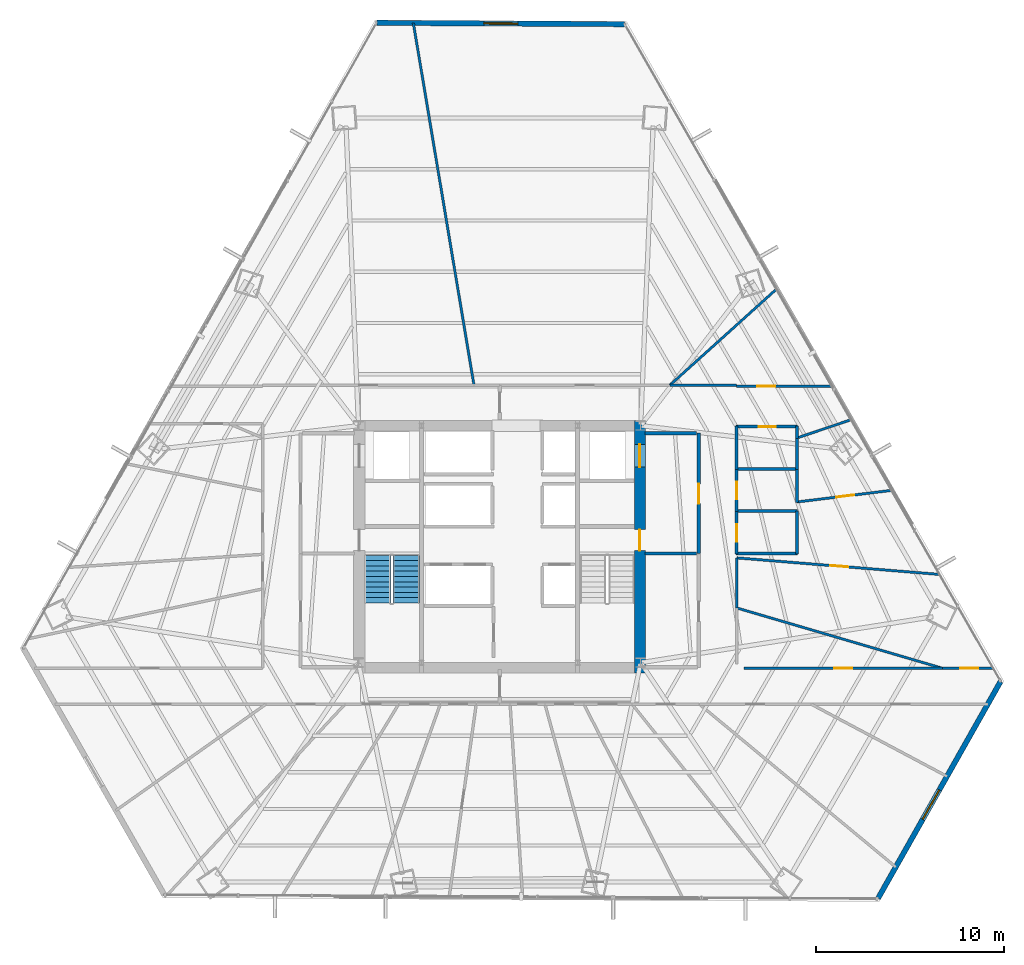
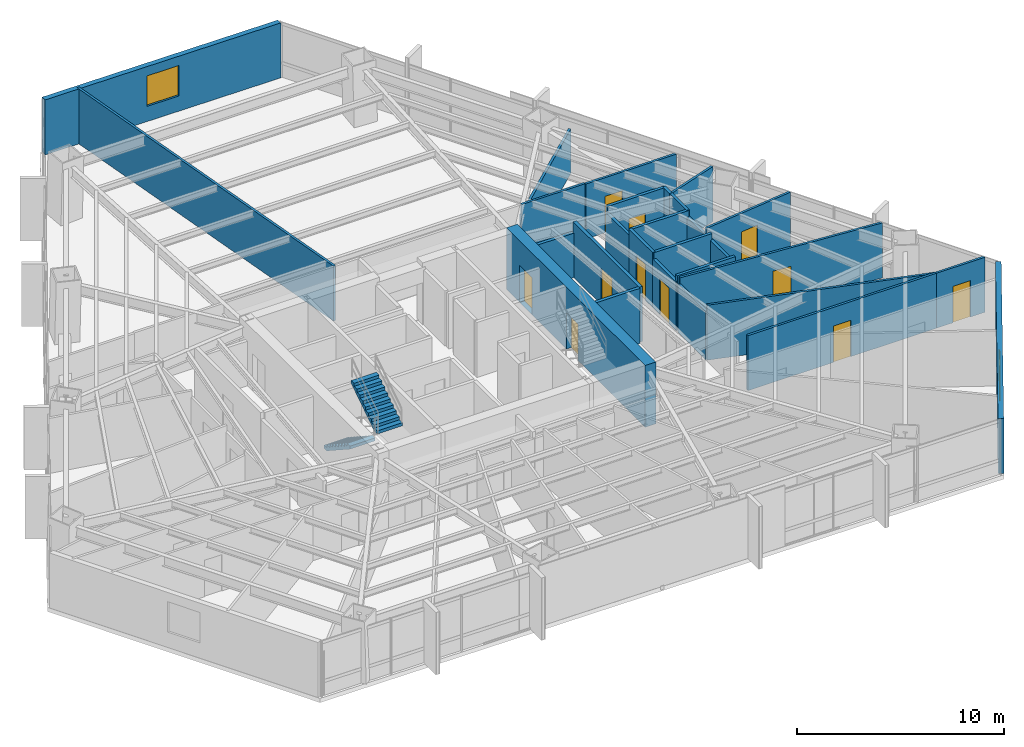
# One storey, part 35 of 39: 28 walls, 11 doors, 2 stair flights, 2 windows, 13 openings, 1 element without a shape of its own.
"""IFC4 building model written with IfcOpenShell, lengths in metres."""

from ifc_helpers import new_model, si_unit, direction, frame, frame_2d, origin, place, context, subcontext, project, spatial, polyline, rectangle, outline, extrude, material, layer, layer_set, type_object, element, fill, aggregate, save


model = new_model("IFC4")

# Units and contexts
model_context = context("Model", 3, precision=1e-05, world=origin(), true_north=direction((0.0, 1.0)))
body_context = subcontext(model_context, "Body", "Model", "MODEL_VIEW")
ifc_project = project(units=[si_unit("LENGTHUNIT", "METRE"), si_unit("AREAUNIT", "SQUARE_METRE"), si_unit("VOLUMEUNIT", "CUBIC_METRE"), si_unit("PLANEANGLEUNIT", "RADIAN"), si_unit("MASSUNIT", "GRAM", prefix="KILO")], contexts=[model_context])

# Site, building, storey
site_placement = place(None, origin())
site = spatial("IfcSite", under=ifc_project, at=site_placement, CompositionType="ELEMENT")
building_placement = place(site_placement, origin())
building = spatial("IfcBuilding", under=site, at=building_placement, Name="Caelisora Broadcast Tower", CompositionType="ELEMENT")
storey_placement = place(building_placement, frame((0.0, 0.0, 71.39990234375)))
storey = spatial("IfcBuildingStorey", under=building, at=storey_placement, Name="L18", CompositionType="ELEMENT", Elevation=71.39990234375)

# Wall, openings, doors
ifc_material_1 = material(Name="Concrete 65 MPa (AS 3600 S65)", Category="concrete")
ifc_layer_1 = layer(ifc_material_1, 0.60009765625, Name="Concrete 65 MPa (AS 3600 S65)")
ifc_layer_set_1 = layer_set([ifc_layer_1], Name="Concrete 65 MPa (AS 3600 S65)")
wall_type_1 = type_object("IfcWallType", Name="CW1", PredefinedType="SHEAR", material=ifc_layer_set_1)
wall_1_placement = place(storey_placement, frame((45.4599609375, 16.85009765625, 0.0), z_axis=(0.0, 0.0, 1.0), x_axis=(0.0, 1.0, 0.0)))
wall_1 = element("IfcWall", 1, at=wall_1_placement, inside=storey, type_object=wall_type_1, Name="L18 core shear wall CW1", PredefinedType="SHEAR", context=body_context, shape_type="SweptSolid", body=[
    extrude(rectangle(XDim=13.4248046875, YDim=0.60009765625, at=frame_2d((6.71240234375, 0.0))), origin(), (0.0, 0.0, 1.0), 3.650146484375),
])
opening_1_placement = place(wall_1_placement, frame((6.5, 0.0, 0.0)))
opening_1 = element("IfcOpeningElement", 2, at=opening_1_placement, cuts=wall_1, Name="Opening FD04", PredefinedType="OPENING", context=body_context, shape_type="SweptSolid", body=[
    extrude(rectangle(XDim=1.1201171875, YDim=2.14990234375, at=frame_2d((0.56005859375, 1.074951171875))), frame((0.0, 0.31201171875, 0.0), z_axis=(0.0, -1.0, 0.0), x_axis=(1.0, 0.0, 0.0)), (0.0, 0.0, 1.0), 0.6240234375),
])
opening_2_placement = place(wall_1_placement, frame((10.949951171875, 0.0, 0.0)))
opening_2 = element("IfcOpeningElement", 3, at=opening_2_placement, cuts=wall_1, Name="Opening LD04", PredefinedType="OPENING", context=body_context, shape_type="SweptSolid", body=[
    extrude(rectangle(XDim=1.199951171875, YDim=2.199951171875, at=frame_2d((0.60009765625, 1.10009765625))), frame((0.0, 0.31201171875, 0.0), z_axis=(0.0, -1.0, 0.0), x_axis=(1.0, 0.0, 0.0)), (0.0, 0.0, 1.0), 0.6240234375),
])
ifc_material_2 = material(Name="Pressurised Fire-Isolated Stair Door", Category="steel")
door_type_1 = type_object("IfcDoorType", Name="FD04", OperationType="NOTDEFINED", PredefinedType="DOOR", material=ifc_material_2)
door_1_placement = place(opening_1_placement, origin())
door_1 = element("IfcDoor", 4, at=door_1_placement, inside=storey, type_object=door_type_1, Name="L18 door FD04 (L18-DR-ST2)", OperationType="SINGLE_SWING_RIGHT", OverallHeight=2.14990234375, OverallWidth=1.1201171875, PredefinedType="DOOR", context=body_context, shape_type="SweptSolid", body=[
    extrude(rectangle(XDim=1.1201171875, YDim=2.14990234375, at=frame_2d((0.56005859375, 1.074951171875))), frame((0.0, 0.02490234375, 0.0), z_axis=(0.0, -1.0, 0.0), x_axis=(1.0, 0.0, 0.0)), (0.0, 0.0, 1.0), 0.050048828125),
])
fill(opening_1, door_1)
ifc_material_3 = material(Name="Emergency Firefighting Lift Sliding Landing Door", Category="steel")
door_type_2 = type_object("IfcDoorType", Name="LD04", OperationType="NOTDEFINED", PredefinedType="DOOR", material=ifc_material_3)
door_2_placement = place(opening_2_placement, origin())
door_2 = element("IfcDoor", 5, at=door_2_placement, inside=storey, type_object=door_type_2, Name="L18 door LD04 (L18-LD-FFL2)", OperationType="SLIDING_TO_RIGHT", OverallHeight=2.199951171875, OverallWidth=1.199951171875, PredefinedType="DOOR", context=body_context, shape_type="SweptSolid", body=[
    extrude(rectangle(XDim=1.199951171875, YDim=2.199951171875, at=frame_2d((0.60009765625, 1.10009765625))), frame((0.0, 0.02490234375, 0.0), z_axis=(0.0, -1.0, 0.0), x_axis=(1.0, 0.0, 0.0)), (0.0, 0.0, 1.0), 0.050048828125),
])
fill(opening_2, door_2)

# Wall, opening, window
ifc_material_4 = material(Name="Insulated Terracotta Spandrel Wall System", Category="masonry")
ifc_layer_2 = layer(ifc_material_4, 0.280029296875, Name="Insulated Terracotta Spandrel Wall System")
ifc_layer_set_2 = layer_set([ifc_layer_2], Name="Insulated Terracotta Spandrel Wall System")
wall_type_2 = type_object("IfcWallType", Name="EW1", PredefinedType="STANDARD", material=ifc_layer_set_2)
wall_2_placement = place(storey_placement, frame((64.625244140625, 16.387939453125, 0.0), z_axis=(0.0, 0.0, 1.0), x_axis=(-0.491826693783, -0.870693116593, 0.0)))
wall_2 = element("IfcWall", 6, at=wall_2_placement, inside=storey, type_object=wall_type_2, Name="L18 exterior envelope wall EW1", PredefinedType="STANDARD", context=body_context, shape_type="SweptSolid", body=[
    extrude(rectangle(XDim=13.224853515625, YDim=0.280029296875, at=frame_2d((6.6123046875, 0.0))), origin(), (0.0, 0.0, 1.0), 3.25),
])
opening_3_placement = place(wall_2_placement, frame((6.610107421875, 0.0, 0.89990234375)))
opening_3 = element("IfcOpeningElement", 7, at=opening_3_placement, cuts=wall_2, Name="Opening W01", PredefinedType="OPENING", context=body_context, shape_type="SweptSolid", body=[
    extrude(rectangle(XDim=1.800048828125, YDim=1.800048828125, at=frame_2d((0.89990234375, 0.89990234375))), frame((0.0, 0.152099609375, 0.0), z_axis=(0.0, -1.0, 0.0), x_axis=(1.0, 0.0, 0.0)), (0.0, 0.0, 1.0), 0.303955078125),
])
ifc_material_5 = material(Name="Double Glazed Terracotta-Framed Vision Window", Category="glass")
window_type = type_object("IfcWindowType", Name="W01", PartitioningType="SINGLE_PANEL", PredefinedType="WINDOW", material=ifc_material_5)
window_1_placement = place(opening_3_placement, origin())
window_1 = element("IfcWindow", 8, at=window_1_placement, inside=storey, type_object=window_type, Name="L18 window W01 (L18-WN-CH0)", OverallHeight=1.800048828125, OverallWidth=1.800048828125, PartitioningType="SINGLE_PANEL", PredefinedType="WINDOW", context=body_context, shape_type="SweptSolid", body=[
    extrude(rectangle(XDim=1.800048828125, YDim=1.800048828125, at=frame_2d((0.89990234375, 0.89990234375))), frame((0.0, 0.030029296875, 0.0), z_axis=(0.0, -1.0, 0.0), x_axis=(1.0, 0.0, 0.0)), (0.0, 0.0, 1.0), 0.06005859375),
])
fill(opening_3, window_1)

wall_3_placement = place(storey_placement, frame((31.4970703125, 51.410888671875, 0.0), z_axis=(0.0, 0.0, 1.0), x_axis=(0.999985060064, -0.005466228017, 0.0)))
wall_3 = element("IfcWall", 9, at=wall_3_placement, inside=storey, type_object=wall_type_2, Name="L18 exterior envelope wall EW1", PredefinedType="STANDARD", context=body_context, shape_type="SweptSolid", body=[
    extrude(rectangle(XDim=13.131103515625, YDim=0.280029296875, at=frame_2d((6.5654296875, 0.0))), origin(), (0.0, 0.0, 1.0), 3.25),
])
opening_4_placement = place(wall_3_placement, frame((5.669921875, 0.0, 0.89990234375)))
opening_4 = element("IfcOpeningElement", 10, at=opening_4_placement, cuts=wall_3, Name="Opening W01", PredefinedType="OPENING", context=body_context, shape_type="SweptSolid", body=[
    extrude(rectangle(XDim=1.800048828125, YDim=1.800048828125, at=frame_2d((0.89990234375, 0.89990234375))), frame((0.0, 0.152099609375, 0.0), z_axis=(0.0, -1.0, 0.0), x_axis=(1.0, 0.0, 0.0)), (0.0, 0.0, 1.0), 0.303955078125),
])
window_2_placement = place(opening_4_placement, origin())
window_2 = element("IfcWindow", 11, at=window_2_placement, inside=storey, type_object=window_type, Name="L18 window W01 (L18-WN-CH8)", OverallHeight=1.800048828125, OverallWidth=1.800048828125, PartitioningType="SINGLE_PANEL", PredefinedType="WINDOW", context=body_context, shape_type="SweptSolid", body=[
    extrude(rectangle(XDim=1.800048828125, YDim=1.800048828125, at=frame_2d((0.89990234375, 0.89990234375))), frame((0.0, 0.030029296875, 0.0), z_axis=(0.0, -1.0, 0.0), x_axis=(1.0, 0.0, 0.0)), (0.0, 0.0, 1.0), 0.06005859375),
])
fill(opening_4, window_2)

# Wall, opening, door
ifc_material_6 = material(Name="Fire-Rated Gypsum Shaft and Compartment Wall", Category="gypsum")
ifc_layer_3 = layer(ifc_material_6, 0.179931640625, Name="Fire-Rated Gypsum Shaft and Compartment Wall")
ifc_layer_set_3 = layer_set([ifc_layer_3], Name="Fire-Rated Gypsum Shaft and Compartment Wall")
wall_type_3 = type_object("IfcWallType", Name="PW2", PredefinedType="PARTITIONING", material=ifc_layer_set_3)
wall_4_placement = place(storey_placement, frame((48.580078125, 23.199951171875, 0.0), z_axis=(0.0, 0.0, 1.0), x_axis=(0.0, 1.0, 0.0)))
wall_4 = element("IfcWall", 12, at=wall_4_placement, inside=storey, type_object=wall_type_3, Name="L18 fire compartment wall PW2", PredefinedType="PARTITIONING", context=body_context, shape_type="SweptSolid", body=[
    extrude(rectangle(XDim=6.400146484375, YDim=0.179931640625, at=frame_2d((3.2001953125, 0.0))), origin(), (0.0, 0.0, 1.0), 3.25),
])
opening_5_placement = place(wall_4_placement, frame((2.64990234375, 0.0, 0.0)))
opening_5 = element("IfcOpeningElement", 13, at=opening_5_placement, cuts=wall_4, Name="Opening FD02", PredefinedType="OPENING", context=body_context, shape_type="SweptSolid", body=[
    extrude(rectangle(XDim=1.050048828125, YDim=2.14990234375, at=frame_2d((0.52490234375, 1.074951171875))), frame((0.0, 0.10205078125, 0.0), z_axis=(0.0, -1.0, 0.0), x_axis=(1.0, 0.0, 0.0)), (0.0, 0.0, 1.0), 0.203857421875),
])
ifc_material_7 = material(Name="Single-Leaf Steel Fire Lobby Door", Category="steel")
door_type_3 = type_object("IfcDoorType", Name="FD02", OperationType="NOTDEFINED", PredefinedType="DOOR", material=ifc_material_7)
door_3_placement = place(opening_5_placement, origin())
door_3 = element("IfcDoor", 14, at=door_3_placement, inside=storey, type_object=door_type_3, Name="L18 door FD02 (L18-DR-P04D1)", OperationType="SINGLE_SWING_RIGHT", OverallHeight=2.14990234375, OverallWidth=1.050048828125, PredefinedType="DOOR", context=body_context, shape_type="SweptSolid", body=[
    extrude(rectangle(XDim=1.050048828125, YDim=2.14990234375, at=frame_2d((0.52490234375, 1.074951171875))), frame((0.0, 0.02490234375, 0.0), z_axis=(0.0, -1.0, 0.0), x_axis=(1.0, 0.0, 0.0)), (0.0, 0.0, 1.0), 0.050048828125),
])
fill(opening_5, door_3)

# Walls
wall_5_placement = place(storey_placement, frame((45.719970703125, 23.199951171875, 0.0), z_axis=(0.0, 0.0, 1.0), x_axis=(1.0, 0.0, 0.0)))
element("IfcWall", 15, at=wall_5_placement, inside=storey, type_object=wall_type_3, Name="L18 fire compartment wall PW2", PredefinedType="PARTITIONING", context=body_context, shape_type="SweptSolid", body=[
    extrude(rectangle(XDim=2.760009765625, YDim=0.179931640625, at=frame_2d((1.3798828125, 0.0))), origin(), (0.0, 0.0, 1.0), 3.25),
])
wall_6_placement = place(storey_placement, frame((45.719970703125, 29.60009765625, 0.0), z_axis=(0.0, 0.0, 1.0), x_axis=(1.0, 0.0, 0.0)))
element("IfcWall", 16, at=wall_6_placement, inside=storey, type_object=wall_type_3, Name="L18 fire compartment wall PW2", PredefinedType="PARTITIONING", context=body_context, shape_type="SweptSolid", body=[
    extrude(rectangle(XDim=2.760009765625, YDim=0.179931640625, at=frame_2d((1.3798828125, 0.0))), origin(), (0.0, 0.0, 1.0), 2.6328125),
])
ifc_material_8 = material(Name="Acoustic Steel-Stud Plasterboard Partition", Category="gypsum")
ifc_layer_4 = layer(ifc_material_8, 0.1298828125, Name="Acoustic Steel-Stud Plasterboard Partition")
ifc_layer_set_4 = layer_set([ifc_layer_4], Name="Acoustic Steel-Stud Plasterboard Partition")
wall_type_4 = type_object("IfcWallType", Name="PW3", PredefinedType="PARTITIONING", material=ifc_layer_set_4)
wall_7_placement = place(storey_placement, frame((33.416015625, 51.405029296875, 0.0), z_axis=(0.0, 0.0, 1.0), x_axis=(0.165125113672, -0.986272628047, 0.0)))
element("IfcWall", 17, at=wall_7_placement, inside=storey, type_object=wall_type_4, Name="L18 internal partition PW3", PredefinedType="PARTITIONING", context=body_context, shape_type="SweptSolid", body=[
    extrude(rectangle(XDim=19.517822265625, YDim=0.1298828125, at=frame_2d((9.7587890625, 0.0))), origin(), (0.0, 0.0, 1.0), 3.25),
])
wall_8_placement = place(storey_placement, frame((50.60498046875, 20.30908203125, 0.0), z_axis=(0.0, 0.0, 1.0), x_axis=(0.959593656246, -0.281389436355, 0.0)))
element("IfcWall", 18, at=wall_8_placement, inside=storey, type_object=wall_type_4, Name="L18 internal partition PW3", PredefinedType="PARTITIONING", context=body_context, shape_type="SweptSolid", body=[
    extrude(rectangle(XDim=11.400634765625, YDim=0.1298828125, at=frame_2d((5.7001953125, 0.0))), origin(), (0.0, 0.0, 1.0), 3.25),
])

# Wall, opening, door
wall_9_placement = place(storey_placement, frame((50.60498046875, 22.969970703125, 0.0), z_axis=(0.0, 0.0, 1.0), x_axis=(0.996686704741, -0.081336416147, 0.0)))
wall_9 = element("IfcWall", 19, at=wall_9_placement, inside=storey, type_object=wall_type_4, Name="L18 internal partition PW3", PredefinedType="PARTITIONING", context=body_context, shape_type="SweptSolid", body=[
    extrude(rectangle(XDim=10.829833984375, YDim=0.1298828125, at=frame_2d((5.4150390625, 0.0))), origin(), (0.0, 0.0, 1.0), 3.25),
])
opening_6_placement = place(wall_9_placement, frame((4.990966796875, 0.0, 0.0)))
opening_6 = element("IfcOpeningElement", 20, at=opening_6_placement, cuts=wall_9, Name="Opening D01", PredefinedType="OPENING", context=body_context, shape_type="SweptSolid", body=[
    extrude(rectangle(XDim=0.9599609375, YDim=2.14990234375, at=frame_2d((0.47998046875, 1.074951171875))), frame((0.0, 0.076904296875, 0.0), z_axis=(0.0, -1.0, 0.0), x_axis=(1.0, 0.0, 0.0)), (0.0, 0.0, 1.0), 0.15380859375),
])
ifc_material_9 = material(Name="Solid-Core Timber Acoustic Office Door", Category="wood")
door_type_4 = type_object("IfcDoorType", Name="D01", OperationType="NOTDEFINED", PredefinedType="DOOR", material=ifc_material_9)
door_4_placement = place(opening_6_placement, origin())
door_4 = element("IfcDoor", 21, at=door_4_placement, inside=storey, type_object=door_type_4, Name="L18 door D01 (L18-DR-P40D1)", OperationType="SINGLE_SWING_RIGHT", OverallHeight=2.14990234375, OverallWidth=0.9599609375, PredefinedType="DOOR", context=body_context, shape_type="SweptSolid", body=[
    extrude(rectangle(XDim=0.9599609375, YDim=2.14990234375, at=frame_2d((0.47998046875, 1.074951171875))), frame((0.0, 0.02490234375, 0.0), z_axis=(0.0, -1.0, 0.0), x_axis=(1.0, 0.0, 0.0)), (0.0, 0.0, 1.0), 0.050048828125),
])
fill(opening_6, door_4)

wall_10_placement = place(storey_placement, frame((51.0, 17.10009765625, 0.0), z_axis=(0.0, 0.0, 1.0), x_axis=(1.0, 0.0, 0.0)))
wall_10 = element("IfcWall", 22, at=wall_10_placement, inside=storey, type_object=wall_type_4, Name="L18 internal partition PW3", PredefinedType="PARTITIONING", context=body_context, shape_type="SweptSolid", body=[
    extrude(rectangle(XDim=10.544921875, YDim=0.1298828125, at=frame_2d((5.2724609375, 0.0))), origin(), (0.0, 0.0, 1.0), 3.25),
])
opening_7_placement = place(wall_10_placement, frame((4.79296875, 0.0, 0.0)))
opening_7 = element("IfcOpeningElement", 23, at=opening_7_placement, cuts=wall_10, Name="Opening D01", PredefinedType="OPENING", context=body_context, shape_type="SweptSolid", body=[
    extrude(rectangle(XDim=0.9599609375, YDim=2.14990234375, at=frame_2d((0.47998046875, 1.074951171875))), frame((0.0, 0.076904296875, 0.0), z_axis=(0.0, -1.0, 0.0), x_axis=(1.0, 0.0, 0.0)), (0.0, 0.0, 1.0), 0.15380859375),
])
door_5_placement = place(opening_7_placement, origin())
door_5 = element("IfcDoor", 24, at=door_5_placement, inside=storey, type_object=door_type_4, Name="L18 door D01 (L18-DR-P42D1)", OperationType="SINGLE_SWING_LEFT", OverallHeight=2.14990234375, OverallWidth=0.9599609375, PredefinedType="DOOR", context=body_context, shape_type="SweptSolid", body=[
    extrude(rectangle(XDim=0.9599609375, YDim=2.14990234375, at=frame_2d((0.47998046875, 1.074951171875))), frame((0.0, 0.02490234375, 0.0), z_axis=(0.0, -1.0, 0.0), x_axis=(1.0, 0.0, 0.0)), (0.0, 0.0, 1.0), 0.050048828125),
])
fill(opening_7, door_5)

# Wall
wall_11_placement = place(storey_placement, frame((47.053955078125, 32.153076171875, 0.0), z_axis=(0.0, 0.0, 1.0), x_axis=(0.743007558342, 0.669283025518, 0.0)))
element("IfcWall", 25, at=wall_11_placement, inside=storey, type_object=wall_type_4, Name="L18 internal partition PW3", PredefinedType="PARTITIONING", context=body_context, shape_type="SweptSolid", body=[
    extrude(rectangle(XDim=7.62646484375, YDim=0.1298828125, at=frame_2d((3.813232421875, 0.0))), origin(), (0.0, 0.0, 1.0), 2.6328125),
])

# Wall, opening, door
wall_12_placement = place(storey_placement, frame((50.60498046875, 32.10009765625, 0.0), z_axis=(0.0, 0.0, 1.0), x_axis=(1.0, 0.0, 0.0)))
wall_12 = element("IfcWall", 26, at=wall_12_placement, inside=storey, type_object=wall_type_4, Name="L18 internal partition PW3", PredefinedType="PARTITIONING", context=body_context, shape_type="SweptSolid", body=[
    extrude(rectangle(XDim=5.06640625, YDim=0.1298828125, at=frame_2d((2.533203125, 0.0))), origin(), (0.0, 0.0, 1.0), 3.25),
])
opening_8_placement = place(wall_12_placement, frame((1.080078125, 0.0, 0.0)))
opening_8 = element("IfcOpeningElement", 27, at=opening_8_placement, cuts=wall_12, Name="Opening D01", PredefinedType="OPENING", context=body_context, shape_type="SweptSolid", body=[
    extrude(rectangle(XDim=0.9599609375, YDim=2.14990234375, at=frame_2d((0.47998046875, 1.074951171875))), frame((0.0, 0.076904296875, 0.0), z_axis=(0.0, -1.0, 0.0), x_axis=(1.0, 0.0, 0.0)), (0.0, 0.0, 1.0), 0.15380859375),
])
door_6_placement = place(opening_8_placement, origin())
door_6 = element("IfcDoor", 28, at=door_6_placement, inside=storey, type_object=door_type_4, Name="L18 door D01 (L18-DR-P53D1)", OperationType="SINGLE_SWING_RIGHT", OverallHeight=2.14990234375, OverallWidth=0.9599609375, PredefinedType="DOOR", context=body_context, shape_type="SweptSolid", body=[
    extrude(rectangle(XDim=0.9599609375, YDim=2.14990234375, at=frame_2d((0.47998046875, 1.074951171875))), frame((0.0, 0.02490234375, 0.0), z_axis=(0.0, -1.0, 0.0), x_axis=(1.0, 0.0, 0.0)), (0.0, 0.0, 1.0), 0.050048828125),
])
fill(opening_8, door_6)

wall_13_placement = place(storey_placement, frame((53.804931640625, 25.94091796875, 0.0), z_axis=(0.0, 0.0, 1.0), x_axis=(0.992576910039, 0.121618574476, 0.0)))
wall_13 = element("IfcWall", 29, at=wall_13_placement, inside=storey, type_object=wall_type_4, Name="L18 internal partition PW3", PredefinedType="PARTITIONING", context=body_context, shape_type="SweptSolid", body=[
    extrude(rectangle(XDim=5.07470703125, YDim=0.1298828125, at=frame_2d((2.537353515625, 0.0))), origin(), (0.0, 0.0, 1.0), 3.25),
])
opening_9_placement = place(wall_13_placement, frame((2.10693359375, 0.0, 0.0)))
opening_9 = element("IfcOpeningElement", 30, at=opening_9_placement, cuts=wall_13, Name="Opening D01", PredefinedType="OPENING", context=body_context, shape_type="SweptSolid", body=[
    extrude(rectangle(XDim=0.9599609375, YDim=2.14990234375, at=frame_2d((0.47998046875, 1.074951171875))), frame((0.0, 0.076904296875, 0.0), z_axis=(0.0, -1.0, 0.0), x_axis=(1.0, 0.0, 0.0)), (0.0, 0.0, 1.0), 0.15380859375),
])
door_7_placement = place(opening_9_placement, origin())
door_7 = element("IfcDoor", 31, at=door_7_placement, inside=storey, type_object=door_type_4, Name="L18 door D01 (L18-DR-P54D1)", OperationType="SINGLE_SWING_LEFT", OverallHeight=2.14990234375, OverallWidth=0.9599609375, PredefinedType="DOOR", context=body_context, shape_type="SweptSolid", body=[
    extrude(rectangle(XDim=0.9599609375, YDim=2.14990234375, at=frame_2d((0.47998046875, 1.074951171875))), frame((0.0, 0.02490234375, 0.0), z_axis=(0.0, -1.0, 0.0), x_axis=(1.0, 0.0, 0.0)), (0.0, 0.0, 1.0), 0.050048828125),
])
fill(opening_9, door_7)

# Wall
wall_14_placement = place(storey_placement, frame((47.054931640625, 32.14990234375, 0.0), z_axis=(0.0, 0.0, 1.0), x_axis=(1.0, 0.0, 0.0)))
element("IfcWall", 32, at=wall_14_placement, inside=storey, type_object=wall_type_4, Name="L18 internal partition PW3", PredefinedType="PARTITIONING", context=body_context, shape_type="SweptSolid", body=[
    extrude(rectangle(XDim=3.5400390625, YDim=0.1298828125, at=frame_2d((1.77001953125, 0.0))), origin(), (0.0, 0.0, 1.0), 3.25),
])

# Wall, opening, door
wall_15_placement = place(storey_placement, frame((61.554931640625, 17.10009765625, 0.0), z_axis=(0.0, 0.0, 1.0), x_axis=(1.0, 0.0, 0.0)))
wall_15 = element("IfcWall", 33, at=wall_15_placement, inside=storey, type_object=wall_type_4, Name="L18 internal partition PW3", PredefinedType="PARTITIONING", context=body_context, shape_type="SweptSolid", body=[
    extrude(rectangle(XDim=2.698486328125, YDim=0.1298828125, at=frame_2d((1.34912109375, 0.0))), origin(), (0.0, 0.0, 1.0), 3.25),
])
opening_10_placement = place(wall_15_placement, frame((0.922119140625, 0.0, 0.0)))
opening_10 = element("IfcOpeningElement", 34, at=opening_10_placement, cuts=wall_15, Name="Opening D01", PredefinedType="OPENING", context=body_context, shape_type="SweptSolid", body=[
    extrude(rectangle(XDim=0.9599609375, YDim=2.14990234375, at=frame_2d((0.47998046875, 1.074951171875))), frame((0.0, 0.076904296875, 0.0), z_axis=(0.0, -1.0, 0.0), x_axis=(1.0, 0.0, 0.0)), (0.0, 0.0, 1.0), 0.15380859375),
])
door_8_placement = place(opening_10_placement, origin())
door_8 = element("IfcDoor", 35, at=door_8_placement, inside=storey, type_object=door_type_4, Name="L18 door D01 (L18-DR-P65D1)", OperationType="SINGLE_SWING_LEFT", OverallHeight=2.14990234375, OverallWidth=0.9599609375, PredefinedType="DOOR", context=body_context, shape_type="SweptSolid", body=[
    extrude(rectangle(XDim=0.9599609375, YDim=2.14990234375, at=frame_2d((0.47998046875, 1.074951171875))), frame((0.0, 0.02490234375, 0.0), z_axis=(0.0, -1.0, 0.0), x_axis=(1.0, 0.0, 0.0)), (0.0, 0.0, 1.0), 0.050048828125),
])
fill(opening_10, door_8)

# Walls
wall_16_placement = place(storey_placement, frame((50.60009765625, 20.31494140625, 0.0), z_axis=(0.0, 0.0, 1.0), x_axis=(0.0, 1.0, 0.0)))
element("IfcWall", 36, at=wall_16_placement, inside=storey, type_object=wall_type_4, Name="L18 internal partition PW3", PredefinedType="PARTITIONING", context=body_context, shape_type="SweptSolid", body=[
    extrude(rectangle(XDim=2.650146484375, YDim=0.1298828125, at=frame_2d((1.3251953125, 0.0))), origin(), (0.0, 0.0, 1.0), 2.87646484375),
])
wall_17_placement = place(storey_placement, frame((53.804931640625, 29.342041015625, 0.0), z_axis=(0.0, 0.0, 1.0), x_axis=(0.947488912927, 0.319788617495, 0.0)))
element("IfcWall", 37, at=wall_17_placement, inside=storey, type_object=wall_type_4, Name="L18 internal partition PW3", PredefinedType="PARTITIONING", context=body_context, shape_type="SweptSolid", body=[
    extrude(rectangle(XDim=3.021728515625, YDim=0.1298828125, at=frame_2d((1.5107421875, 0.0))), origin(), (0.0, 0.0, 1.0), 3.25),
])
ifc_material_10 = material(Name="Moisture-Resistant Wet Plumbing Service Wall", Category="gypsum")
ifc_layer_5 = layer(ifc_material_10, 0.159912109375, Name="Moisture-Resistant Wet Plumbing Service Wall")
ifc_layer_set_5 = layer_set([ifc_layer_5], Name="Moisture-Resistant Wet Plumbing Service Wall")
wall_type_5 = type_object("IfcWallType", Name="PW4", PredefinedType="PLUMBINGWALL", material=ifc_layer_set_5)
for number, where, z_axis, x_axis, name in (
    (38, (50.574951171875, 23.199951171875, 0.0), (0.0, 0.0, 1.0), (1.0, 0.0, 0.0), "L18 wet plumbing wall PW4"),
    (39, (50.574951171875, 25.449951171875, 0.0), (0.0, 0.0, 1.0), (1.0, 0.0, 0.0), "L18 wet plumbing wall PW4"),
    (40, (50.574951171875, 27.699951171875, 0.0), (0.0, 0.0, 1.0), (1.0, 0.0, 0.0), "L18 wet plumbing wall PW4"),
):
    element("IfcWall", number, at=place(storey_placement, frame(where, z_axis=z_axis, x_axis=x_axis)), inside=storey, type_object=wall_type_5, Name=name, PredefinedType="PLUMBINGWALL", context=body_context, shape_type="SweptSolid", body=[
        extrude(rectangle(XDim=3.25, YDim=0.159912109375, at=frame_2d((1.625, 0.0))), origin(), (0.0, 0.0, 1.0), 3.25),
    ])

# Wall, opening, door
wall_18_placement = place(storey_placement, frame((53.824951171875, 29.949951171875, 0.0), z_axis=(0.0, 0.0, 1.0), x_axis=(-1.0, 0.0, 0.0)))
wall_18 = element("IfcWall", 41, at=wall_18_placement, inside=storey, type_object=wall_type_5, Name="L18 wet plumbing wall PW4", PredefinedType="PLUMBINGWALL", context=body_context, shape_type="SweptSolid", body=[
    extrude(rectangle(XDim=3.25, YDim=0.159912109375, at=frame_2d((1.625, 0.0))), origin(), (0.0, 0.0, 1.0), 3.25),
])
opening_11_placement = place(wall_18_placement, frame((1.135009765625, 0.0, 0.0)))
opening_11 = element("IfcOpeningElement", 42, at=opening_11_placement, cuts=wall_18, Name="Opening D03", PredefinedType="OPENING", context=body_context, shape_type="SweptSolid", body=[
    extrude(rectangle(XDim=0.919921875, YDim=2.10009765625, at=frame_2d((0.4599609375, 1.050048828125))), frame((0.0, 0.092041015625, 0.0), z_axis=(0.0, -1.0, 0.0), x_axis=(1.0, 0.0, 0.0)), (0.0, 0.0, 1.0), 0.183837890625),
])
ifc_material_11 = material(Name="Laminate Moisture-Resistant Amenity WC Door", Category="wood")
door_type_5 = type_object("IfcDoorType", Name="D03", OperationType="NOTDEFINED", PredefinedType="DOOR", material=ifc_material_11)
door_9_placement = place(opening_11_placement, origin())
door_9 = element("IfcDoor", 43, at=door_9_placement, inside=storey, type_object=door_type_5, Name="L18 door D03 (L18-DR-P19D1)", OperationType="SINGLE_SWING_RIGHT", OverallHeight=2.10009765625, OverallWidth=0.919921875, PredefinedType="DOOR", context=body_context, shape_type="SweptSolid", body=[
    extrude(rectangle(XDim=0.919921875, YDim=2.10009765625, at=frame_2d((0.4599609375, 1.050048828125))), frame((0.0, 0.02490234375, 0.0), z_axis=(0.0, -1.0, 0.0), x_axis=(1.0, 0.0, 0.0)), (0.0, 0.0, 1.0), 0.050048828125),
])
fill(opening_11, door_9)

# Wall
wall_19_placement = place(storey_placement, frame((50.60009765625, 27.675048828125, 0.0), z_axis=(0.0, 0.0, 1.0), x_axis=(0.0, 1.0, 0.0)))
element("IfcWall", 44, at=wall_19_placement, inside=storey, type_object=wall_type_5, Name="L18 wet plumbing wall PW4", PredefinedType="PLUMBINGWALL", context=body_context, shape_type="SweptSolid", body=[
    extrude(rectangle(XDim=2.300048828125, YDim=0.159912109375, at=frame_2d((1.14990234375, 0.0))), origin(), (0.0, 0.0, 1.0), 2.87646484375),
])

# Wall, opening, door
wall_20_placement = place(storey_placement, frame((50.60009765625, 25.425048828125, 0.0), z_axis=(0.0, 0.0, 1.0), x_axis=(0.0, 1.0, 0.0)))
wall_20 = element("IfcWall", 45, at=wall_20_placement, inside=storey, type_object=wall_type_5, Name="L18 wet plumbing wall PW4", PredefinedType="PLUMBINGWALL", context=body_context, shape_type="SweptSolid", body=[
    extrude(rectangle(XDim=2.300048828125, YDim=0.159912109375, at=frame_2d((1.14990234375, 0.0))), origin(), (0.0, 0.0, 1.0), 3.25),
])
opening_12_placement = place(wall_20_placement, frame((0.659912109375, 0.0, 0.0)))
opening_12 = element("IfcOpeningElement", 46, at=opening_12_placement, cuts=wall_20, Name="Opening D03", PredefinedType="OPENING", context=body_context, shape_type="SweptSolid", body=[
    extrude(rectangle(XDim=0.919921875, YDim=2.10009765625, at=frame_2d((0.4599609375, 1.050048828125))), frame((0.0, 0.092041015625, 0.0), z_axis=(0.0, -1.0, 0.0), x_axis=(1.0, 0.0, 0.0)), (0.0, 0.0, 1.0), 0.183837890625),
])
door_10_placement = place(opening_12_placement, origin())
door_10 = element("IfcDoor", 47, at=door_10_placement, inside=storey, type_object=door_type_5, Name="L18 door D03 (L18-DR-P21D1)", OperationType="SINGLE_SWING_LEFT", OverallHeight=2.10009765625, OverallWidth=0.919921875, PredefinedType="DOOR", context=body_context, shape_type="SweptSolid", body=[
    extrude(rectangle(XDim=0.919921875, YDim=2.10009765625, at=frame_2d((0.4599609375, 1.050048828125))), frame((0.0, 0.02490234375, 0.0), z_axis=(0.0, -1.0, 0.0), x_axis=(1.0, 0.0, 0.0)), (0.0, 0.0, 1.0), 0.050048828125),
])
fill(opening_12, door_10)

wall_21_placement = place(storey_placement, frame((50.60009765625, 23.175048828125, 0.0), z_axis=(0.0, 0.0, 1.0), x_axis=(0.0, 1.0, 0.0)))
wall_21 = element("IfcWall", 48, at=wall_21_placement, inside=storey, type_object=wall_type_5, Name="L18 wet plumbing wall PW4", PredefinedType="PLUMBINGWALL", context=body_context, shape_type="SweptSolid", body=[
    extrude(rectangle(XDim=2.300048828125, YDim=0.159912109375, at=frame_2d((1.14990234375, 0.0))), origin(), (0.0, 0.0, 1.0), 2.87646484375),
])
opening_13_placement = place(wall_21_placement, frame((0.659912109375, 0.0, 0.0)))
opening_13 = element("IfcOpeningElement", 49, at=opening_13_placement, cuts=wall_21, Name="Opening D03", PredefinedType="OPENING", context=body_context, shape_type="SweptSolid", body=[
    extrude(rectangle(XDim=0.919921875, YDim=2.10009765625, at=frame_2d((0.4599609375, 1.050048828125))), frame((0.0, 0.092041015625, 0.0), z_axis=(0.0, -1.0, 0.0), x_axis=(1.0, 0.0, 0.0)), (0.0, 0.0, 1.0), 0.183837890625),
])
door_11_placement = place(opening_13_placement, origin())
door_11 = element("IfcDoor", 50, at=door_11_placement, inside=storey, type_object=door_type_5, Name="L18 door D03 (L18-DR-P22D1)", OperationType="SINGLE_SWING_RIGHT", OverallHeight=2.10009765625, OverallWidth=0.919921875, PredefinedType="DOOR", context=body_context, shape_type="SweptSolid", body=[
    extrude(rectangle(XDim=0.919921875, YDim=2.10009765625, at=frame_2d((0.4599609375, 1.050048828125))), frame((0.0, 0.02490234375, 0.0), z_axis=(0.0, -1.0, 0.0), x_axis=(1.0, 0.0, 0.0)), (0.0, 0.0, 1.0), 0.050048828125),
])
fill(opening_13, door_11)

# Walls
wall_22_placement = place(storey_placement, frame((53.800048828125, 23.175048828125, 0.0), z_axis=(0.0, 0.0, 1.0), x_axis=(0.0, 1.0, 0.0)))
element("IfcWall", 51, at=wall_22_placement, inside=storey, type_object=wall_type_5, Name="L18 wet plumbing wall PW4", PredefinedType="PLUMBINGWALL", context=body_context, shape_type="SweptSolid", body=[
    extrude(rectangle(XDim=2.300048828125, YDim=0.159912109375, at=frame_2d((1.14990234375, 0.0))), origin(), (0.0, 0.0, 1.0), 2.87646484375),
])
wall_23_placement = place(storey_placement, frame((53.800048828125, 25.9150390625, 0.0), z_axis=(0.0, 0.0, 1.0), x_axis=(0.0, 1.0, 0.0)))
element("IfcWall", 52, at=wall_23_placement, inside=storey, type_object=wall_type_5, Name="L18 wet plumbing wall PW4", PredefinedType="PLUMBINGWALL", context=body_context, shape_type="SweptSolid", body=[
    extrude(rectangle(XDim=1.81005859375, YDim=0.159912109375, at=frame_2d((0.905029296875, 0.0))), origin(), (0.0, 0.0, 1.0), 2.87646484375),
])
wall_24_placement = place(storey_placement, frame((53.800048828125, 27.675048828125, 0.0), z_axis=(0.0, 0.0, 1.0), x_axis=(0.0, 1.0, 0.0)))
element("IfcWall", 53, at=wall_24_placement, inside=storey, type_object=wall_type_5, Name="L18 wet plumbing wall PW4", PredefinedType="PLUMBINGWALL", context=body_context, shape_type="SweptSolid", body=[
    extrude(rectangle(XDim=1.68994140625, YDim=0.159912109375, at=frame_2d((0.844970703125, 0.0))), origin(), (0.0, 0.0, 1.0), 3.25),
])
wall_25_placement = place(storey_placement, frame((53.800048828125, 29.31494140625, 0.0), z_axis=(0.0, 0.0, 1.0), x_axis=(0.0, 1.0, 0.0)))
element("IfcWall", 54, at=wall_25_placement, inside=storey, type_object=wall_type_5, Name="L18 wet plumbing wall PW4", PredefinedType="PLUMBINGWALL", context=body_context, shape_type="SweptSolid", body=[
    extrude(rectangle(XDim=0.66015625, YDim=0.159912109375, at=frame_2d((0.330078125, 0.0))), origin(), (0.0, 0.0, 1.0), 3.25),
])

# Stair, stair flights
ifc_material_12 = material(Name="Concrete 40 MPa (AS 3600 N40)", Category="concrete")
stair_type = type_object("IfcStairType", Name="ST-1", PredefinedType="HALF_TURN_STAIR", material=ifc_material_12)
stair_placement = place(storey_placement, origin())
stair = element("IfcStair", 55, at=stair_placement, inside=storey, type_object=stair_type, Name="L18 West Fire-Isolated Tower Stair", PredefinedType="HALF_TURN_STAIR")
stair_flight_type = type_object("IfcStairFlightType", Name="STF-2", PredefinedType="STRAIGHT", material=ifc_material_12)
stair_flight_1_placement = place(storey_placement, frame((31.52001953125, 23.10009765625, 0.0), z_axis=(0.0, 0.0, 1.0), x_axis=(0.0, -1.0, 0.0)))
stair_flight_1 = element("IfcStairFlight", 56, at=stair_flight_1_placement, type_object=stair_flight_type, Name="ST-1 flight 1", NumberOfRisers=10, NumberOfTreads=9, PredefinedType="STRAIGHT", RiserHeight=0.1825, TreadLength=0.28, context=body_context, shape_type="SweptSolid", body=[
    extrude(outline(polyline([(0.0, 0.0), (0.0, 0.1826171875), (0.280029296875, 0.1826171875), (0.280029296875, 0.364990234375), (0.56005859375, 0.364990234375), (0.56005859375, 0.547607421875), (0.840087890625, 0.547607421875), (0.840087890625, 0.72998046875), (1.1201171875, 0.72998046875), (1.1201171875, 0.91259765625), (1.39990234375, 0.91259765625), (1.39990234375, 1.094970703125), (1.679931640625, 1.094970703125), (1.679931640625, 1.277587890625), (1.9599609375, 1.277587890625), (1.9599609375, 1.4599609375), (2.239990234375, 1.4599609375), (2.239990234375, 1.642578125), (2.52001953125, 1.642578125), (2.52001953125, 1.824951171875), (2.52001953125, 1.463623046875), (0.2744140625, 0.0), (0.0, 0.0)])), frame((0.0, 0.699951171875, 0.0), z_axis=(0.0, -1.0, 0.0), x_axis=(1.0, 0.0, 0.0)), (0.0, 0.0, 1.0), 1.39990234375),
])
stair_flight_2_placement = place(storey_placement, frame((33.0400390625, 20.580078125, 1.8251953125), z_axis=(0.0, 0.0, 1.0), x_axis=(0.0, 1.0, 0.0)))
stair_flight_2 = element("IfcStairFlight", 57, at=stair_flight_2_placement, type_object=stair_flight_type, Name="ST-1 flight 2", NumberOfRisers=10, NumberOfTreads=9, PredefinedType="STRAIGHT", RiserHeight=0.1825, TreadLength=0.28, context=body_context, shape_type="SweptSolid", body=[
    extrude(outline(polyline([(0.0, 0.0), (0.0, 0.1826171875), (0.280029296875, 0.1826171875), (0.280029296875, 0.364990234375), (0.56005859375, 0.364990234375), (0.56005859375, 0.547607421875), (0.840087890625, 0.547607421875), (0.840087890625, 0.72998046875), (1.1201171875, 0.72998046875), (1.1201171875, 0.91259765625), (1.39990234375, 0.91259765625), (1.39990234375, 1.094970703125), (1.679931640625, 1.094970703125), (1.679931640625, 1.277587890625), (1.9599609375, 1.277587890625), (1.9599609375, 1.4599609375), (2.239990234375, 1.4599609375), (2.239990234375, 1.642578125), (2.52001953125, 1.642578125), (2.52001953125, 1.824951171875), (2.52001953125, 1.463623046875), (0.2744140625, 0.0), (0.0, 0.0)])), frame((0.0, 0.699951171875, 0.0), z_axis=(0.0, -1.0, 0.0), x_axis=(1.0, 0.0, 0.0)), (0.0, 0.0, 1.0), 1.39990234375),
])
aggregate(stair, [stair_flight_1, stair_flight_2])

save(model, "model.ifc")
